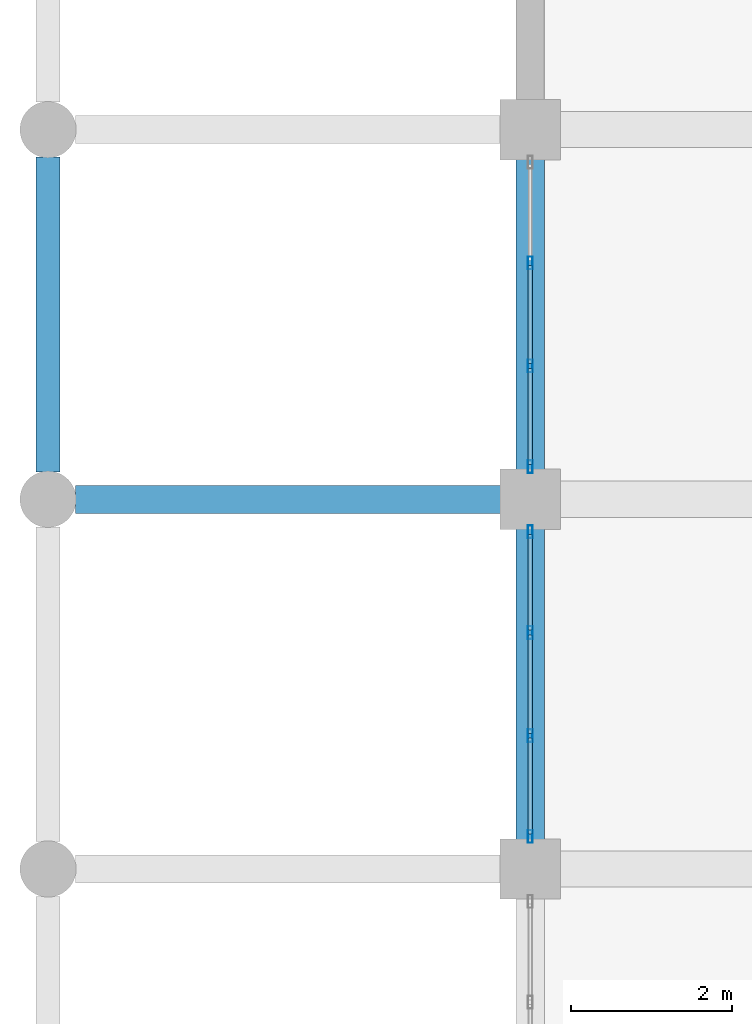
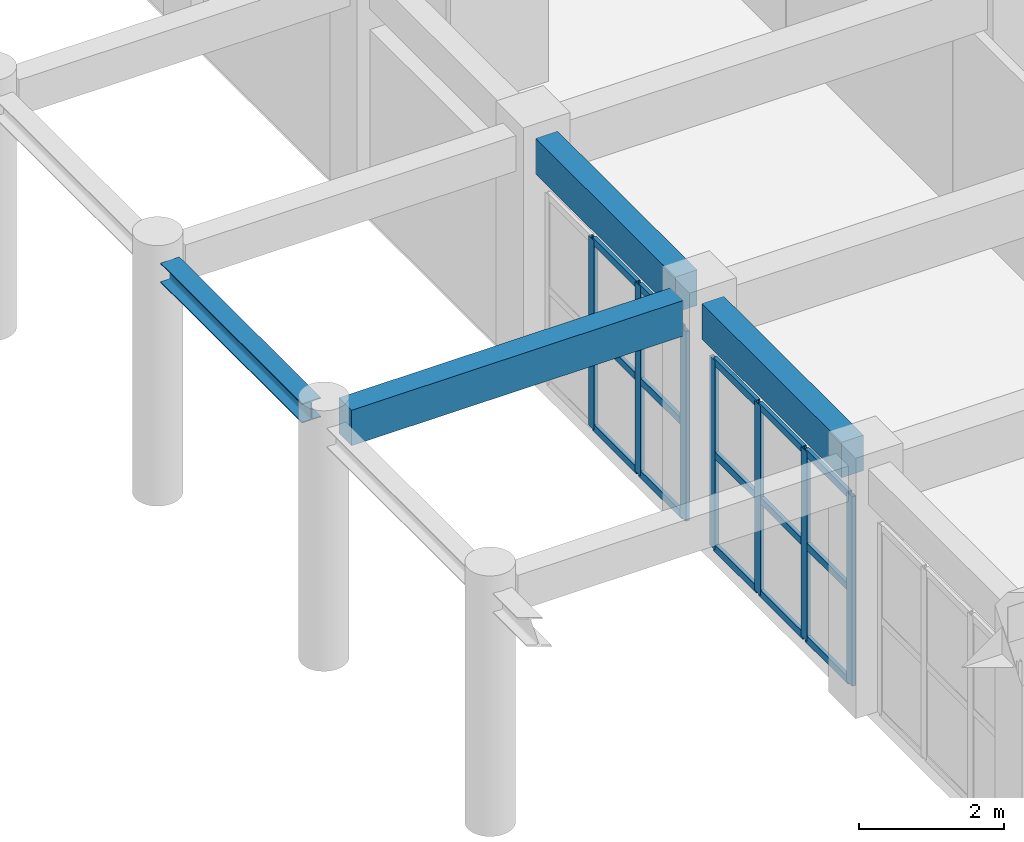
# One storey, part 20 of 116: 22 members, 4 beams, 2 elements without a shape of their own.
"""IFC4 building model written with IfcOpenShell, lengths in metres."""

from ifc_helpers import new_model, si_unit, direction, frame, origin, origin_2d, place, context, subcontext, project, spatial, rectangle, hollow_rectangle, i_section, extrude, material, layer, layer_set, material_profile, profile_set, type_object, element, aggregate, save


model = new_model("IFC4")

# Units and contexts
model_context = context("Model", 3, precision=1e-05, world=origin(), true_north=direction((0.0, 1.0)))
body_context = subcontext(model_context, "Body", "Model", "MODEL_VIEW")
ifc_project = project(units=[si_unit("LENGTHUNIT", "METRE"), si_unit("AREAUNIT", "SQUARE_METRE"), si_unit("VOLUMEUNIT", "CUBIC_METRE"), si_unit("PLANEANGLEUNIT", "RADIAN"), si_unit("MASSUNIT", "GRAM", prefix="KILO")], contexts=[model_context])

# Site, building, storey
site_placement = place(None, origin())
site = spatial("IfcSite", under=ifc_project, at=site_placement, CompositionType="ELEMENT")
building_placement = place(site_placement, origin())
building = spatial("IfcBuilding", under=site, at=building_placement, Name="Muzn Square Opera House", CompositionType="ELEMENT")
storey_placement = place(building_placement, frame((0.0, 0.0, 5.39990234375)))
storey = spatial("IfcBuildingStorey", under=building, at=storey_placement, Name="L01", CompositionType="ELEMENT", Elevation=5.39990234375)

# Curtain wall, members
ifc_material_1 = material(Name="Low-E laminated acoustic double glazing", Category="glass")
ifc_layer = layer(ifc_material_1, 0.159912109375, Name="Low-E laminated acoustic double glazing", Category="glass")
ifc_layer_set = layer_set([ifc_layer], Name="Low-E laminated acoustic double glazing")
curtain_wall_type = type_object("IfcCurtainWallType", Name="Glazed Curtain Wall WestBlvd 3850x3200", PredefinedType="USERDEFINED", material=ifc_layer_set)
curtain_wall_1_placement = place(storey_placement, origin())
curtain_wall_1 = element("IfcCurtainWall", 1, at=curtain_wall_1_placement, inside=storey, type_object=curtain_wall_type, Name="Glazed Curtain Wall CW-L01-142", ObjectType="GLAZED CURTAIN WALL", PredefinedType="USERDEFINED")
ifc_material_2 = material(Name="Anodised bronze aluminium 6063-T6", Category="metal")
ifc_material_profile_1 = material_profile(ifc_material_2, hollow_rectangle(XDim=0.06005859375, YDim=0.159912109375, WallThickness=0.00390625, at=origin_2d()), Name="ALU 160x60x4", Category="metal")
ifc_profile_set_1 = profile_set([ifc_material_profile_1], Name="Anodised bronze aluminium 6063-T6")
member_type_1 = type_object("IfcMemberType", Name="Curtain Wall Mullion 160x60", PredefinedType="MULLION", material=ifc_profile_set_1)
member_1_placement = place(storey_placement, frame((6.0, 40.804931640625, 0.0), z_axis=(0.0, 0.0, 1.0), x_axis=(-1.0, 0.0, 0.0)))
member_1 = element("IfcMember", 2, at=member_1_placement, type_object=member_type_1, Name="CW-WBL-38x32 mullion 1", PredefinedType="MULLION", context=body_context, shape_type="SweptSolid", body=[
    extrude(hollow_rectangle(XDim=0.06005859375, YDim=0.159912109375, WallThickness=0.00390625, at=origin_2d()), origin(), (0.0, 0.0, 1.0), 3.2001953125),
])
member_2_placement = place(storey_placement, frame((6.0, 42.058349609375, 0.0), z_axis=(0.0, 0.0, 1.0), x_axis=(-1.0, 0.0, 0.0)))
member_2 = element("IfcMember", 3, at=member_2_placement, type_object=member_type_1, Name="CW-WBL-38x32 mullion 2", PredefinedType="MULLION", context=body_context, shape_type="SweptSolid", body=[
    extrude(hollow_rectangle(XDim=0.06005859375, YDim=0.159912109375, WallThickness=0.00390625, at=origin_2d()), origin(), (0.0, 0.0, 1.0), 3.2001953125),
])
member_3_placement = place(storey_placement, frame((6.0, 43.341552734375, 0.0), z_axis=(0.0, 0.0, 1.0), x_axis=(-1.0, 0.0, 0.0)))
member_3 = element("IfcMember", 4, at=member_3_placement, type_object=member_type_1, Name="CW-WBL-38x32 mullion 3", PredefinedType="MULLION", context=body_context, shape_type="SweptSolid", body=[
    extrude(hollow_rectangle(XDim=0.06005859375, YDim=0.159912109375, WallThickness=0.00390625, at=origin_2d()), origin(), (0.0, 0.0, 1.0), 3.2001953125),
])
member_4_placement = place(storey_placement, frame((6.0, 44.594970703125, 0.0), z_axis=(0.0, 0.0, 1.0), x_axis=(-1.0, 0.0, 0.0)))
member_4 = element("IfcMember", 5, at=member_4_placement, type_object=member_type_1, Name="CW-WBL-38x32 mullion 4", PredefinedType="MULLION", context=body_context, shape_type="SweptSolid", body=[
    extrude(hollow_rectangle(XDim=0.06005859375, YDim=0.159912109375, WallThickness=0.00390625, at=origin_2d()), origin(), (0.0, 0.0, 1.0), 3.2001953125),
])

curtain_wall_2_placement = place(storey_placement, origin())
curtain_wall_2 = element("IfcCurtainWall", 6, at=curtain_wall_2_placement, inside=storey, type_object=curtain_wall_type, Name="Glazed Curtain Wall CW-L01-143", ObjectType="GLAZED CURTAIN WALL", PredefinedType="USERDEFINED")
member_5_placement = place(storey_placement, frame((6.0, 45.405029296875, 0.0), z_axis=(0.0, 0.0, 1.0), x_axis=(-1.0, 0.0, 0.0)))
member_5 = element("IfcMember", 7, at=member_5_placement, type_object=member_type_1, Name="CW-WBL-38x32 mullion 1", PredefinedType="MULLION", context=body_context, shape_type="SweptSolid", body=[
    extrude(hollow_rectangle(XDim=0.06005859375, YDim=0.159912109375, WallThickness=0.00390625, at=origin_2d()), origin(), (0.0, 0.0, 1.0), 3.2001953125),
])
member_6_placement = place(storey_placement, frame((6.0, 46.658447265625, 0.0), z_axis=(0.0, 0.0, 1.0), x_axis=(-1.0, 0.0, 0.0)))
member_6 = element("IfcMember", 8, at=member_6_placement, type_object=member_type_1, Name="CW-WBL-38x32 mullion 2", PredefinedType="MULLION", context=body_context, shape_type="SweptSolid", body=[
    extrude(hollow_rectangle(XDim=0.06005859375, YDim=0.159912109375, WallThickness=0.00390625, at=origin_2d()), origin(), (0.0, 0.0, 1.0), 3.2001953125),
])
member_7_placement = place(storey_placement, frame((6.0, 47.941650390625, 0.0), z_axis=(0.0, 0.0, 1.0), x_axis=(-1.0, 0.0, 0.0)))
member_7 = element("IfcMember", 9, at=member_7_placement, type_object=member_type_1, Name="CW-WBL-38x32 mullion 3", PredefinedType="MULLION", context=body_context, shape_type="SweptSolid", body=[
    extrude(hollow_rectangle(XDim=0.06005859375, YDim=0.159912109375, WallThickness=0.00390625, at=origin_2d()), origin(), (0.0, 0.0, 1.0), 3.2001953125),
])

# Member
ifc_material_profile_2 = material_profile(ifc_material_2, hollow_rectangle(XDim=0.06005859375, YDim=0.1201171875, WallThickness=0.00390625, at=origin_2d()), Name="ALU 120x60x4", Category="metal")
ifc_profile_set_2 = profile_set([ifc_material_profile_2], Name="Anodised bronze aluminium 6063-T6")
member_type_2 = type_object("IfcMemberType", Name="Curtain Wall Transom 120x60", PredefinedType="USERDEFINED", material=ifc_profile_set_2)
member_8_placement = place(storey_placement, frame((6.0, 40.8349609375, 0.030029296875), z_axis=(0.0, 1.0, 0.0), x_axis=(-1.0, 0.0, 0.0)))
member_8 = element("IfcMember", 10, at=member_8_placement, type_object=member_type_2, Name="CW-WBL-38x32 transom 1.1", ObjectType="TRANSOM", PredefinedType="USERDEFINED", context=body_context, shape_type="SweptSolid", body=[
    extrude(hollow_rectangle(XDim=0.06005859375, YDim=0.1201171875, WallThickness=0.00390625, at=origin_2d()), origin(), (0.0, 0.0, 1.0), 1.193359375),
])

member_9_placement = place(storey_placement, frame((6.0, 40.8349609375, 1.60009765625), z_axis=(0.0, 1.0, 0.0), x_axis=(-1.0, 0.0, 0.0)))
member_9 = element("IfcMember", 11, at=member_9_placement, type_object=member_type_2, Name="CW-WBL-38x32 transom 1.2", ObjectType="TRANSOM", PredefinedType="USERDEFINED", context=body_context, shape_type="SweptSolid", body=[
    extrude(hollow_rectangle(XDim=0.06005859375, YDim=0.1201171875, WallThickness=0.00390625, at=origin_2d()), origin(), (0.0, 0.0, 1.0), 1.193359375),
])

member_10_placement = place(storey_placement, frame((6.0, 40.8349609375, 3.170166015625), z_axis=(0.0, 1.0, 0.0), x_axis=(-1.0, 0.0, 0.0)))
member_10 = element("IfcMember", 12, at=member_10_placement, type_object=member_type_2, Name="CW-WBL-38x32 transom 1.3", ObjectType="TRANSOM", PredefinedType="USERDEFINED", context=body_context, shape_type="SweptSolid", body=[
    extrude(hollow_rectangle(XDim=0.06005859375, YDim=0.1201171875, WallThickness=0.00390625, at=origin_2d()), origin(), (0.0, 0.0, 1.0), 1.193359375),
])

member_11_placement = place(storey_placement, frame((6.0, 42.08837890625, 0.030029296875), z_axis=(0.0, 1.0, 0.0), x_axis=(-1.0, 0.0, 0.0)))
member_11 = element("IfcMember", 13, at=member_11_placement, type_object=member_type_2, Name="CW-WBL-38x32 transom 2.1", ObjectType="TRANSOM", PredefinedType="USERDEFINED", context=body_context, shape_type="SweptSolid", body=[
    extrude(hollow_rectangle(XDim=0.06005859375, YDim=0.1201171875, WallThickness=0.00390625, at=origin_2d()), origin(), (0.0, 0.0, 1.0), 1.223388671875),
])

member_12_placement = place(storey_placement, frame((6.0, 42.08837890625, 1.60009765625), z_axis=(0.0, 1.0, 0.0), x_axis=(-1.0, 0.0, 0.0)))
member_12 = element("IfcMember", 14, at=member_12_placement, type_object=member_type_2, Name="CW-WBL-38x32 transom 2.2", ObjectType="TRANSOM", PredefinedType="USERDEFINED", context=body_context, shape_type="SweptSolid", body=[
    extrude(hollow_rectangle(XDim=0.06005859375, YDim=0.1201171875, WallThickness=0.00390625, at=origin_2d()), origin(), (0.0, 0.0, 1.0), 1.223388671875),
])

member_13_placement = place(storey_placement, frame((6.0, 42.08837890625, 3.170166015625), z_axis=(0.0, 1.0, 0.0), x_axis=(-1.0, 0.0, 0.0)))
member_13 = element("IfcMember", 15, at=member_13_placement, type_object=member_type_2, Name="CW-WBL-38x32 transom 2.3", ObjectType="TRANSOM", PredefinedType="USERDEFINED", context=body_context, shape_type="SweptSolid", body=[
    extrude(hollow_rectangle(XDim=0.06005859375, YDim=0.1201171875, WallThickness=0.00390625, at=origin_2d()), origin(), (0.0, 0.0, 1.0), 1.223388671875),
])

member_14_placement = place(storey_placement, frame((6.0, 43.37158203125, 0.030029296875), z_axis=(0.0, 1.0, 0.0), x_axis=(-1.0, 0.0, 0.0)))
member_14 = element("IfcMember", 16, at=member_14_placement, type_object=member_type_2, Name="CW-WBL-38x32 transom 3.1", ObjectType="TRANSOM", PredefinedType="USERDEFINED", context=body_context, shape_type="SweptSolid", body=[
    extrude(hollow_rectangle(XDim=0.06005859375, YDim=0.1201171875, WallThickness=0.00390625, at=origin_2d()), origin(), (0.0, 0.0, 1.0), 1.193359375),
])

member_15_placement = place(storey_placement, frame((6.0, 43.37158203125, 1.60009765625), z_axis=(0.0, 1.0, 0.0), x_axis=(-1.0, 0.0, 0.0)))
member_15 = element("IfcMember", 17, at=member_15_placement, type_object=member_type_2, Name="CW-WBL-38x32 transom 3.2", ObjectType="TRANSOM", PredefinedType="USERDEFINED", context=body_context, shape_type="SweptSolid", body=[
    extrude(hollow_rectangle(XDim=0.06005859375, YDim=0.1201171875, WallThickness=0.00390625, at=origin_2d()), origin(), (0.0, 0.0, 1.0), 1.193359375),
])

member_16_placement = place(storey_placement, frame((6.0, 43.37158203125, 3.170166015625), z_axis=(0.0, 1.0, 0.0), x_axis=(-1.0, 0.0, 0.0)))
member_16 = element("IfcMember", 18, at=member_16_placement, type_object=member_type_2, Name="CW-WBL-38x32 transom 3.3", ObjectType="TRANSOM", PredefinedType="USERDEFINED", context=body_context, shape_type="SweptSolid", body=[
    extrude(hollow_rectangle(XDim=0.06005859375, YDim=0.1201171875, WallThickness=0.00390625, at=origin_2d()), origin(), (0.0, 0.0, 1.0), 1.193359375),
])

aggregate(curtain_wall_1, [member_1, member_2, member_3, member_4, member_8, member_9, member_10, member_11, member_12, member_13, member_14, member_15, member_16])

member_17_placement = place(storey_placement, frame((6.0, 45.43505859375, 0.030029296875), z_axis=(0.0, 1.0, 0.0), x_axis=(-1.0, 0.0, 0.0)))
member_17 = element("IfcMember", 19, at=member_17_placement, type_object=member_type_2, Name="CW-WBL-38x32 transom 1.1", ObjectType="TRANSOM", PredefinedType="USERDEFINED", context=body_context, shape_type="SweptSolid", body=[
    extrude(hollow_rectangle(XDim=0.06005859375, YDim=0.1201171875, WallThickness=0.00390625, at=origin_2d()), origin(), (0.0, 0.0, 1.0), 1.193359375),
])

member_18_placement = place(storey_placement, frame((6.0, 45.43505859375, 1.60009765625), z_axis=(0.0, 1.0, 0.0), x_axis=(-1.0, 0.0, 0.0)))
member_18 = element("IfcMember", 20, at=member_18_placement, type_object=member_type_2, Name="CW-WBL-38x32 transom 1.2", ObjectType="TRANSOM", PredefinedType="USERDEFINED", context=body_context, shape_type="SweptSolid", body=[
    extrude(hollow_rectangle(XDim=0.06005859375, YDim=0.1201171875, WallThickness=0.00390625, at=origin_2d()), origin(), (0.0, 0.0, 1.0), 1.193359375),
])

member_19_placement = place(storey_placement, frame((6.0, 45.43505859375, 3.170166015625), z_axis=(0.0, 1.0, 0.0), x_axis=(-1.0, 0.0, 0.0)))
member_19 = element("IfcMember", 21, at=member_19_placement, type_object=member_type_2, Name="CW-WBL-38x32 transom 1.3", ObjectType="TRANSOM", PredefinedType="USERDEFINED", context=body_context, shape_type="SweptSolid", body=[
    extrude(hollow_rectangle(XDim=0.06005859375, YDim=0.1201171875, WallThickness=0.00390625, at=origin_2d()), origin(), (0.0, 0.0, 1.0), 1.193359375),
])

member_20_placement = place(storey_placement, frame((6.0, 46.688232421875, 0.030029296875), z_axis=(0.0, 1.0, 0.0), x_axis=(-1.0, 0.0, 0.0)))
member_20 = element("IfcMember", 22, at=member_20_placement, type_object=member_type_2, Name="CW-WBL-38x32 transom 2.1", ObjectType="TRANSOM", PredefinedType="USERDEFINED", context=body_context, shape_type="SweptSolid", body=[
    extrude(hollow_rectangle(XDim=0.06005859375, YDim=0.1201171875, WallThickness=0.00390625, at=origin_2d()), origin(), (0.0, 0.0, 1.0), 1.223388671875),
])

member_21_placement = place(storey_placement, frame((6.0, 46.688232421875, 1.60009765625), z_axis=(0.0, 1.0, 0.0), x_axis=(-1.0, 0.0, 0.0)))
member_21 = element("IfcMember", 23, at=member_21_placement, type_object=member_type_2, Name="CW-WBL-38x32 transom 2.2", ObjectType="TRANSOM", PredefinedType="USERDEFINED", context=body_context, shape_type="SweptSolid", body=[
    extrude(hollow_rectangle(XDim=0.06005859375, YDim=0.1201171875, WallThickness=0.00390625, at=origin_2d()), origin(), (0.0, 0.0, 1.0), 1.223388671875),
])

member_22_placement = place(storey_placement, frame((6.0, 46.688232421875, 3.170166015625), z_axis=(0.0, 1.0, 0.0), x_axis=(-1.0, 0.0, 0.0)))
member_22 = element("IfcMember", 24, at=member_22_placement, type_object=member_type_2, Name="CW-WBL-38x32 transom 2.3", ObjectType="TRANSOM", PredefinedType="USERDEFINED", context=body_context, shape_type="SweptSolid", body=[
    extrude(hollow_rectangle(XDim=0.06005859375, YDim=0.1201171875, WallThickness=0.00390625, at=origin_2d()), origin(), (0.0, 0.0, 1.0), 1.223388671875),
])

aggregate(curtain_wall_2, [member_5, member_6, member_7, member_17, member_18, member_19, member_20, member_21, member_22])

# Beams
ifc_material_3 = material(Name="Concrete C40/50", Category="concrete")
ifc_material_profile_3 = material_profile(ifc_material_3, rectangle(XDim=0.35009765625, YDim=0.60009765625, at=origin_2d()), Name="RCB 350x600", Category="concrete")
ifc_profile_set_3 = profile_set([ifc_material_profile_3], Name="Concrete C40/50")
beam_type_1 = type_object("IfcBeamType", Name="Primary Girder 350x600", PredefinedType="BEAM", material=ifc_profile_set_3)
beam_1_placement = place(storey_placement, frame((0.342041015625, 45.0, 3.85009765625), z_axis=(1.0, 0.0, 0.0), x_axis=(0.0, 1.0, 0.0)))
element("IfcBeam", 25, at=beam_1_placement, inside=storey, type_object=beam_type_1, Name="Primary Girder BM-L01-BM-PG600-3_450_56_450-1356", PredefinedType="BEAM", context=body_context, shape_type="SweptSolid", body=[
    extrude(rectangle(XDim=0.35009765625, YDim=0.60009765625, at=origin_2d()), origin(), (0.0, 0.0, 1.0), 5.291015625),
])
for number, where, z_axis, x_axis, name in (
    (26, (6.0, 40.76708984375, 3.85009765625), (0.0, 1.0, 0.0), (-1.0, 0.0, 0.0), "Primary Girder BM-L01-BM-PG600-60_408_60_446-1532"),
    (27, (6.0, 45.366943359375, 3.85009765625), (0.0, 1.0, 0.0), (-1.0, 0.0, 0.0), "Primary Girder BM-L01-BM-PG600-60_454_60_492-1533"),
):
    element("IfcBeam", number, at=place(storey_placement, frame(where, z_axis=z_axis, x_axis=x_axis)), inside=storey, type_object=beam_type_1, Name=name, PredefinedType="BEAM", context=body_context, shape_type="SweptSolid", body=[
        extrude(rectangle(XDim=0.35009765625, YDim=0.60009765625, at=origin_2d()), origin(), (0.0, 0.0, 1.0), 3.865966796875),
    ])
ifc_material_4 = material(Name="Steel S355", Category="steel")
ifc_material_profile_4 = material_profile(ifc_material_4, i_section(OverallWidth=0.300048828125, OverallDepth=0.330078125, WebThickness=0.009521484375, FlangeThickness=0.0166015625, FilletRadius=0.027099609375, at=origin_2d()), Name="HEA 340", Category="steel")
ifc_profile_set_4 = profile_set([ifc_material_profile_4], Name="Steel S355")
beam_type_2 = type_object("IfcBeamType", Name="Steel Spandrel Beam HEA340", PredefinedType="SPANDREL", material=ifc_profile_set_4)
beam_2_placement = place(storey_placement, frame((0.0, 45.342041015625, 3.955078125), z_axis=(0.0, 1.0, 0.0), x_axis=(-1.0, 0.0, 0.0)))
element("IfcBeam", 28, at=beam_2_placement, inside=storey, type_object=beam_type_2, Name="Spandrel Beam BM-L01-BM-SSP340-0_453_0_493-1516", PredefinedType="SPANDREL", context=body_context, shape_type="SweptSolid", body=[
    extrude(i_section(OverallWidth=0.300048828125, OverallDepth=0.330078125, WebThickness=0.009521484375, FlangeThickness=0.0166015625, FilletRadius=0.027099609375, at=origin_2d()), origin(), (0.0, 0.0, 1.0), 3.916015625),
])

save(model, "model.ifc")
